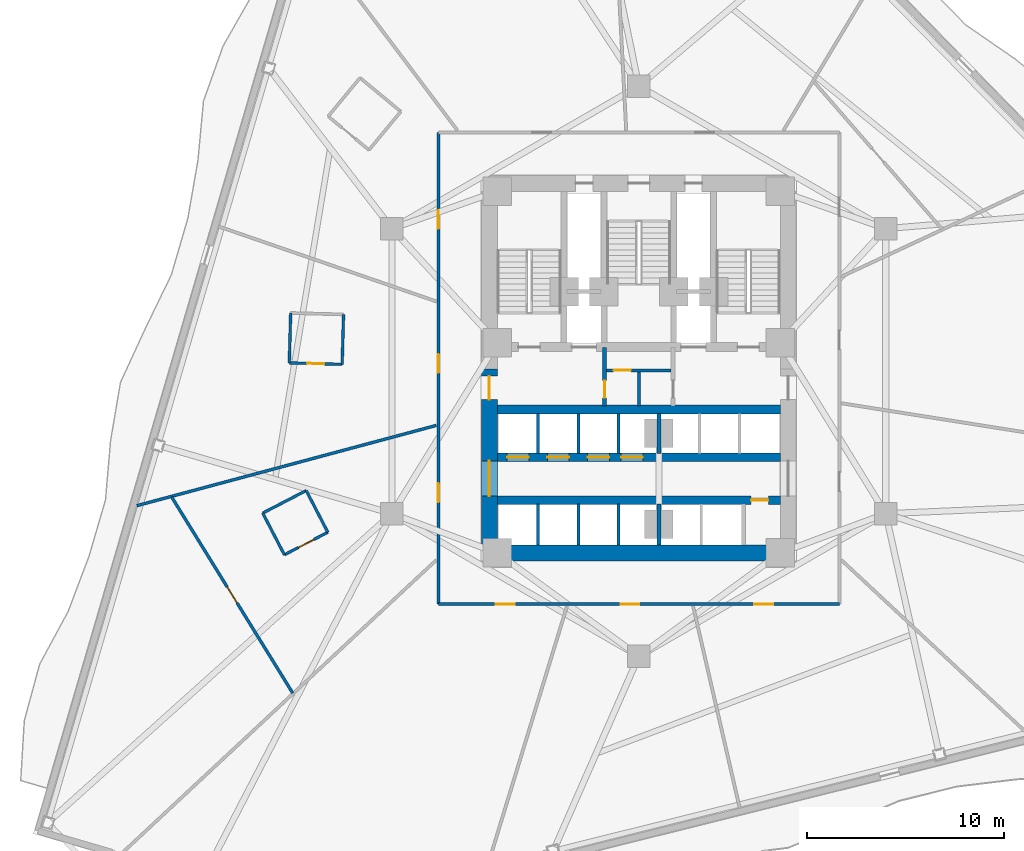
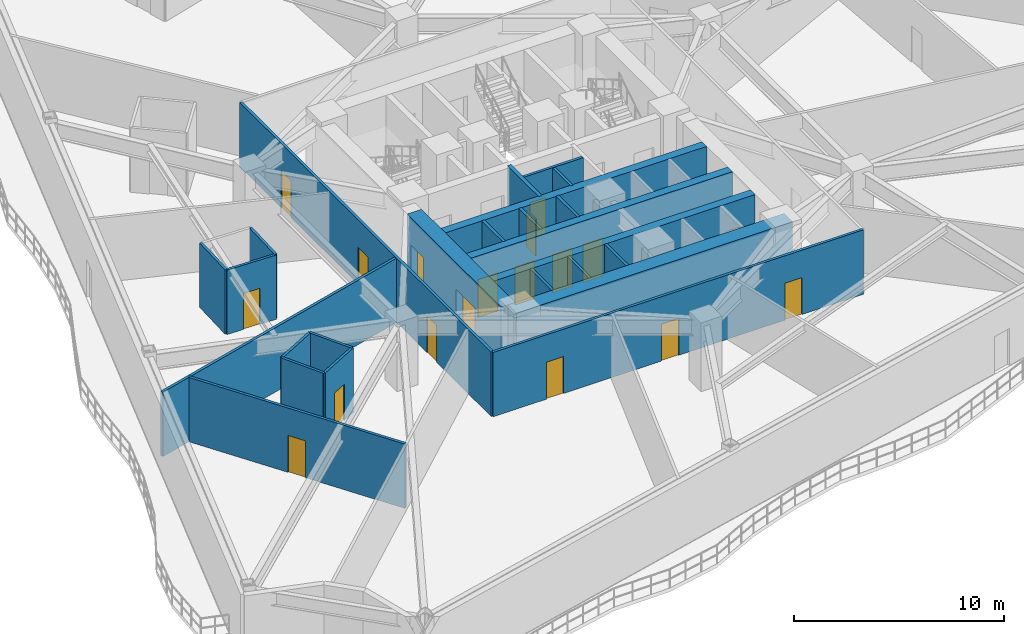
# One storey, part 3 of 10: 27 walls, 18 doors, 18 openings.
"""IFC4 building model written with IfcOpenShell, lengths in metres."""

from ifc_helpers import new_model, si_unit, direction, frame, frame_2d, origin, place, context, subcontext, project, spatial, rectangle, extrude, material, layer, layer_set, type_object, element, fill, save


model = new_model("IFC4")

# Units and contexts
model_context = context("Model", 3, precision=1e-05, world=origin(), true_north=direction((0.0, 1.0)))
body_context = subcontext(model_context, "Body", "Model", "MODEL_VIEW")
ifc_project = project(units=[si_unit("LENGTHUNIT", "METRE"), si_unit("AREAUNIT", "SQUARE_METRE"), si_unit("VOLUMEUNIT", "CUBIC_METRE"), si_unit("PLANEANGLEUNIT", "RADIAN"), si_unit("MASSUNIT", "GRAM", prefix="KILO")], contexts=[model_context])

# Site, building, storey
site_placement = place(None, origin())
site = spatial("IfcSite", under=ifc_project, at=site_placement, CompositionType="ELEMENT")
building_placement = place(site_placement, origin())
building = spatial("IfcBuilding", under=site, at=building_placement, Name="Apsidion Concourse Tower", CompositionType="ELEMENT")
storey_placement = place(building_placement, frame((0.0, 0.0, 107.0)))
storey = spatial("IfcBuildingStorey", under=building, at=storey_placement, Name="L24", CompositionType="ELEMENT", Elevation=107.0)

# Walls
ifc_material_1 = material(Name="Gypsum plasterboard partition")
ifc_layer_1 = layer(ifc_material_1, 0.139892578125)
ifc_layer_set_1 = layer_set([ifc_layer_1], Name="Gypsum plasterboard partition")
wall_type_1 = type_object("IfcWallType", Name="WL-INT-PAR-140", PredefinedType="PARTITIONING", material=ifc_layer_set_1)
wall_1_placement = place(storey_placement, frame((-16.921875, -6.073486328125, 0.0), z_axis=(0.0, 0.0, 1.0), x_axis=(-0.887781243054, -0.460265645559, 0.0)))
element("IfcWall", 1, at=wall_1_placement, inside=storey, type_object=wall_type_1, Name="L24 Interior Partition WL-L24-POD-HKAWC-S1", PredefinedType="PARTITIONING", context=body_context, shape_type="SweptSolid", body=[
    extrude(rectangle(XDim=2.48974609375, YDim=0.139892578125, at=frame_2d((1.244873046875, 0.0))), origin(), (0.0, 0.0, 1.0), 3.75),
])
wall_2_placement = place(storey_placement, frame((-19.13232421875, -7.219482421875, 0.0), z_axis=(0.0, 0.0, 1.0), x_axis=(0.460200871333, -0.887814821922, 0.0)))
element("IfcWall", 2, at=wall_2_placement, inside=storey, type_object=wall_type_1, Name="L24 Interior Partition WL-L24-POD-HKAWC-S2", PredefinedType="PARTITIONING", context=body_context, shape_type="SweptSolid", body=[
    extrude(rectangle(XDim=2.389892578125, YDim=0.139892578125, at=frame_2d((1.19482421875, 0.0))), origin(), (0.0, 0.0, 1.0), 3.75),
])

# Wall, opening, door
wall_3_placement = place(storey_placement, frame((-18.032470703125, -9.34130859375, 0.0), z_axis=(0.0, 0.0, 1.0), x_axis=(0.887821307868, 0.460188358496, 0.0)))
wall_3 = element("IfcWall", 3, at=wall_3_placement, inside=storey, type_object=wall_type_1, Name="L24 Interior Partition WL-L24-POD-HKAWC-S3", PredefinedType="PARTITIONING", context=body_context, shape_type="SweptSolid", body=[
    extrude(rectangle(XDim=2.48974609375, YDim=0.139892578125, at=frame_2d((1.244873046875, 0.0))), origin(), (0.0, 0.0, 1.0), 3.75),
])
opening_1_placement = place(wall_3_placement, frame((0.804931640625, 0.0, 0.0)))
opening_1 = element("IfcOpeningElement", 4, at=opening_1_placement, cuts=wall_3, Name="Opening D-03L", PredefinedType="OPENING", context=body_context, shape_type="SweptSolid", body=[
    extrude(rectangle(XDim=0.8798828125, YDim=2.10009765625, at=frame_2d((0.43994140625, 1.050048828125))), frame((0.0, 0.080078125, 0.0), z_axis=(0.0, -1.0, 0.0), x_axis=(1.0, 0.0, 0.0)), (0.0, 0.0, 1.0), 0.159912109375),
])
ifc_material_2 = material(Name="Anodised aluminium EN AW-6063 T6", Category="aluminium")
door_type_1 = type_object("IfcDoorType", Name="DR-INT-D03L", OperationType="SINGLE_SWING_LEFT", PredefinedType="DOOR", material=ifc_material_2)
door_1_placement = place(opening_1_placement, origin())
door_1 = element("IfcDoor", 5, at=door_1_placement, inside=storey, type_object=door_type_1, Name="L24 Hotel Accessible WC Door HKAWC", OperationType="SINGLE_SWING_LEFT", OverallHeight=2.10009765625, OverallWidth=0.8798828125, PredefinedType="DOOR", context=body_context, shape_type="SweptSolid", body=[
    extrude(rectangle(XDim=0.8798828125, YDim=2.10009765625, at=frame_2d((0.43994140625, 1.050048828125))), frame((0.0, 0.02490234375, 0.0), z_axis=(0.0, -1.0, 0.0), x_axis=(1.0, 0.0, 0.0)), (0.0, 0.0, 1.0), 0.050048828125),
])
fill(opening_1, door_1)

# Walls
wall_4_placement = place(storey_placement, frame((-15.822021484375, -8.195556640625, 0.0), z_axis=(0.0, 0.0, 1.0), x_axis=(-0.460159137491, 0.887836453511, 0.0)))
element("IfcWall", 6, at=wall_4_placement, inside=storey, type_object=wall_type_1, Name="L24 Interior Partition WL-L24-POD-HKAWC-S4", PredefinedType="PARTITIONING", context=body_context, shape_type="SweptSolid", body=[
    extrude(rectangle(XDim=2.39013671875, YDim=0.139892578125, at=frame_2d((1.195068359375, 0.0))), origin(), (0.0, 0.0, 1.0), 3.75),
])
wall_5_placement = place(storey_placement, frame((-17.711181640625, 2.959716796875, 0.0), z_axis=(0.0, 0.0, 1.0), x_axis=(-0.027873780836, -0.999611450686, 0.0)))
element("IfcWall", 7, at=wall_5_placement, inside=storey, type_object=wall_type_1, Name="L24 Interior Partition WL-L24-POD-ENS10-S2", PredefinedType="PARTITIONING", context=body_context, shape_type="SweptSolid", body=[
    extrude(rectangle(XDim=2.5400390625, YDim=0.139892578125, at=frame_2d((1.27001953125, 0.0))), origin(), (0.0, 0.0, 1.0), 3.75),
])

# Wall, opening, door
wall_6_placement = place(storey_placement, frame((-17.781982421875, 0.420654296875, 0.0), z_axis=(0.0, 0.0, 1.0), x_axis=(0.999609225093, -0.027953481145, 0.0)))
wall_6 = element("IfcWall", 8, at=wall_6_placement, inside=storey, type_object=wall_type_1, Name="L24 Interior Partition WL-L24-POD-ENS10-S3", PredefinedType="PARTITIONING", context=body_context, shape_type="SweptSolid", body=[
    extrude(rectangle(XDim=2.68994140625, YDim=0.139892578125, at=frame_2d((1.344970703125, 0.0))), origin(), (0.0, 0.0, 1.0), 3.75),
])
opening_2_placement = place(wall_6_placement, frame((0.905029296875, 0.0, 0.0)))
opening_2 = element("IfcOpeningElement", 9, at=opening_2_placement, cuts=wall_6, Name="Opening D-03L", PredefinedType="OPENING", context=body_context, shape_type="SweptSolid", body=[
    extrude(rectangle(XDim=0.8798828125, YDim=2.10009765625, at=frame_2d((0.43994140625, 1.050048828125))), frame((0.0, 0.080078125, 0.0), z_axis=(0.0, -1.0, 0.0), x_axis=(1.0, 0.0, 0.0)), (0.0, 0.0, 1.0), 0.159912109375),
])
door_2_placement = place(opening_2_placement, origin())
door_2 = element("IfcDoor", 10, at=door_2_placement, inside=storey, type_object=door_type_1, Name="L24 Guest En-Suite Bathroom Door ENS10", OperationType="SINGLE_SWING_LEFT", OverallHeight=2.10009765625, OverallWidth=0.8798828125, PredefinedType="DOOR", context=body_context, shape_type="SweptSolid", body=[
    extrude(rectangle(XDim=0.8798828125, YDim=2.10009765625, at=frame_2d((0.43994140625, 1.050048828125))), frame((0.0, 0.02490234375, 0.0), z_axis=(0.0, -1.0, 0.0), x_axis=(1.0, 0.0, 0.0)), (0.0, 0.0, 1.0), 0.050048828125),
])
fill(opening_2, door_2)

# Walls
wall_7_placement = place(storey_placement, frame((-15.093017578125, 0.345458984375, 0.0), z_axis=(0.0, 0.0, 1.0), x_axis=(0.027873780836, 0.999611450686, 0.0)))
element("IfcWall", 11, at=wall_7_placement, inside=storey, type_object=wall_type_1, Name="L24 Interior Partition WL-L24-POD-ENS10-S4", PredefinedType="PARTITIONING", context=body_context, shape_type="SweptSolid", body=[
    extrude(rectangle(XDim=2.5400390625, YDim=0.139892578125, at=frame_2d((1.27001953125, 0.0))), origin(), (0.0, 0.0, 1.0), 3.75),
])
ifc_layer_2 = layer(ifc_material_1, 0.14990234375)
ifc_layer_set_2 = layer_set([ifc_layer_2], Name="Gypsum plasterboard partition")
wall_type_2 = type_object("IfcWallType", Name="WL-INT-PAR-150", PredefinedType="PARTITIONING", material=ifc_layer_set_2)
for number, where, z_axis, x_axis, name in (
    (12, (-5.125, -4.179931640625, 0.0), (0.0, 0.0, 1.0), (0.0, 1.0, 0.0), "L24 Interior Partition WL-L24-B1DIV-1"),
    (13, (-3.074951171875, -4.179931640625, 0.0), (0.0, 0.0, 1.0), (0.0, 1.0, 0.0), "L24 Interior Partition WL-L24-B1DIV-2"),
    (14, (-1.02490234375, -4.179931640625, 0.0), (0.0, 0.0, 1.0), (0.0, 1.0, 0.0), "L24 Interior Partition WL-L24-B1DIV-3"),
):
    element("IfcWall", number, at=place(storey_placement, frame(where, z_axis=z_axis, x_axis=x_axis)), inside=storey, type_object=wall_type_2, Name=name, PredefinedType="PARTITIONING", context=body_context, shape_type="SweptSolid", body=[
        extrude(rectangle(XDim=2.030029296875, YDim=0.14990234375, at=frame_2d((1.01513671875, 0.0))), origin(), (0.0, 0.0, 1.0), 3.75),
    ])
for number, where, z_axis, x_axis, name in (
    (15, (-5.125, -8.85009765625, 0.0), (0.0, 0.0, 1.0), (0.0, 1.0, 0.0), "L24 Interior Partition WL-L24-B2DIV-1"),
    (16, (-3.074951171875, -8.85009765625, 0.0), (0.0, 0.0, 1.0), (0.0, 1.0, 0.0), "L24 Interior Partition WL-L24-B2DIV-2"),
    (17, (-1.02490234375, -8.85009765625, 0.0), (0.0, 0.0, 1.0), (0.0, 1.0, 0.0), "L24 Interior Partition WL-L24-B2DIV-3"),
):
    element("IfcWall", number, at=place(storey_placement, frame(where, z_axis=z_axis, x_axis=x_axis)), inside=storey, type_object=wall_type_2, Name=name, PredefinedType="PARTITIONING", context=body_context, shape_type="SweptSolid", body=[
        extrude(rectangle(XDim=2.080078125, YDim=0.14990234375, at=frame_2d((1.0400390625, 0.0))), origin(), (0.0, 0.0, 1.0), 3.75),
    ])

# Wall, opening, door
wall_8_placement = place(storey_placement, frame((-1.639892578125, 0.0400390625, 0.0), z_axis=(0.0, 0.0, 1.0), x_axis=(1.0, 0.0, 0.0)))
wall_8 = element("IfcWall", 18, at=wall_8_placement, inside=storey, type_object=wall_type_2, Name="L24 Interior Partition WL-L24-K4H", PredefinedType="PARTITIONING", context=body_context, shape_type="SweptSolid", body=[
    extrude(rectangle(XDim=3.27978515625, YDim=0.14990234375, at=frame_2d((1.639892578125, 0.0))), origin(), (0.0, 0.0, 1.0), 3.75),
])
opening_3_placement = place(wall_8_placement, frame((0.360107421875, 0.0, 0.0)))
opening_3 = element("IfcOpeningElement", 19, at=opening_3_placement, cuts=wall_8, Name="Opening D-03L", PredefinedType="OPENING", context=body_context, shape_type="SweptSolid", body=[
    extrude(rectangle(XDim=0.8798828125, YDim=2.10009765625, at=frame_2d((0.43994140625, 1.050048828125))), frame((0.0, 0.0849609375, 0.0), z_axis=(0.0, -1.0, 0.0), x_axis=(1.0, 0.0, 0.0)), (0.0, 0.0, 1.0), 0.169921875),
])
door_3_placement = place(opening_3_placement, origin())
door_3 = element("IfcDoor", 20, at=door_3_placement, inside=storey, type_object=door_type_1, Name="L24 Core Telecoms Door", OperationType="SINGLE_SWING_LEFT", OverallHeight=2.10009765625, OverallWidth=0.8798828125, PredefinedType="DOOR", context=body_context, shape_type="SweptSolid", body=[
    extrude(rectangle(XDim=0.8798828125, YDim=2.10009765625, at=frame_2d((0.43994140625, 1.050048828125))), frame((0.0, 0.02490234375, 0.0), z_axis=(0.0, -1.0, 0.0), x_axis=(1.0, 0.0, 0.0)), (0.0, 0.0, 1.0), 0.050048828125),
])
fill(opening_3, door_3)

# Wall
wall_9_placement = place(storey_placement, frame((0.0, -1.780029296875, 0.0), z_axis=(0.0, 0.0, 1.0), x_axis=(0.0, 1.0, 0.0)))
element("IfcWall", 21, at=wall_9_placement, inside=storey, type_object=wall_type_2, Name="L24 Interior Partition WL-L24-K4V", PredefinedType="PARTITIONING", context=body_context, shape_type="SweptSolid", body=[
    extrude(rectangle(XDim=1.72998046875, YDim=0.14990234375, at=frame_2d((0.864990234375, 0.0))), origin(), (0.0, 0.0, 1.0), 3.75),
])

# Wall, openings, doors
wall_10_placement = place(storey_placement, frame((10.199951171875, -11.85009765625, 0.0), z_axis=(0.0, 0.0, 1.0), x_axis=(-1.0, 0.0, 0.0)))
wall_10 = element("IfcWall", 22, at=wall_10_placement, inside=storey, type_object=wall_type_2, Name="L24 Interior Partition WL-L24-CORR-03", PredefinedType="PARTITIONING", context=body_context, shape_type="SweptSolid", body=[
    extrude(rectangle(XDim=20.39990234375, YDim=0.14990234375, at=frame_2d((10.199951171875, 0.0))), origin(), (0.0, 0.0, 1.0), 3.75),
])
opening_4_placement = place(wall_10_placement, frame((16.522216796875, 0.0, 0.0)))
opening_4 = element("IfcOpeningElement", 23, at=opening_4_placement, cuts=wall_10, Name="Opening D-01R", PredefinedType="OPENING", context=body_context, shape_type="SweptSolid", body=[
    extrude(rectangle(XDim=0.949951171875, YDim=2.14990234375, at=frame_2d((0.47509765625, 1.074951171875))), frame((0.0, 0.0849609375, 0.0), z_axis=(0.0, -1.0, 0.0), x_axis=(1.0, 0.0, 0.0)), (0.0, 0.0, 1.0), 0.169921875),
])
opening_5_placement = place(wall_10_placement, frame((10.171875, 0.0, 0.0)))
opening_5 = element("IfcOpeningElement", 24, at=opening_5_placement, cuts=wall_10, Name="Opening D-01L", PredefinedType="OPENING", context=body_context, shape_type="SweptSolid", body=[
    extrude(rectangle(XDim=0.949951171875, YDim=2.14990234375, at=frame_2d((0.47509765625, 1.074951171875))), frame((0.0, 0.0849609375, 0.0), z_axis=(0.0, -1.0, 0.0), x_axis=(1.0, 0.0, 0.0)), (0.0, 0.0, 1.0), 0.169921875),
])
opening_6_placement = place(wall_10_placement, frame((3.37451171875, 0.0, 0.0)))
opening_6 = element("IfcOpeningElement", 25, at=opening_6_placement, cuts=wall_10, Name="Opening D-01R", PredefinedType="OPENING", context=body_context, shape_type="SweptSolid", body=[
    extrude(rectangle(XDim=0.949951171875, YDim=2.14990234375, at=frame_2d((0.47509765625, 1.074951171875))), frame((0.0, 0.0849609375, 0.0), z_axis=(0.0, -1.0, 0.0), x_axis=(1.0, 0.0, 0.0)), (0.0, 0.0, 1.0), 0.169921875),
])
ifc_material_3 = material(Name="Brushed stainless steel 316", Category="steel")
door_type_2 = type_object("IfcDoorType", Name="DR-INT-D01L", OperationType="SINGLE_SWING_LEFT", PredefinedType="DOOR", material=ifc_material_3)
door_4_placement = place(opening_5_placement, origin())
door_4 = element("IfcDoor", 26, at=door_4_placement, inside=storey, type_object=door_type_2, Name="L24 Corridor Entry Door 03", OperationType="SINGLE_SWING_LEFT", OverallHeight=2.14990234375, OverallWidth=0.949951171875, PredefinedType="DOOR", context=body_context, shape_type="SweptSolid", body=[
    extrude(rectangle(XDim=0.949951171875, YDim=2.14990234375, at=frame_2d((0.47509765625, 1.074951171875))), frame((0.0, 0.02490234375, 0.0), z_axis=(0.0, -1.0, 0.0), x_axis=(1.0, 0.0, 0.0)), (0.0, 0.0, 1.0), 0.050048828125),
])
fill(opening_5, door_4)
door_type_3 = type_object("IfcDoorType", Name="DR-INT-D01R", OperationType="SINGLE_SWING_RIGHT", PredefinedType="DOOR", material=ifc_material_3)
door_5_placement = place(opening_4_placement, origin())
door_5 = element("IfcDoor", 27, at=door_5_placement, inside=storey, type_object=door_type_3, Name="L24 Corridor Entry Door 02", OperationType="SINGLE_SWING_RIGHT", OverallHeight=2.14990234375, OverallWidth=0.949951171875, PredefinedType="DOOR", context=body_context, shape_type="SweptSolid", body=[
    extrude(rectangle(XDim=0.949951171875, YDim=2.14990234375, at=frame_2d((0.47509765625, 1.074951171875))), frame((0.0, 0.02490234375, 0.0), z_axis=(0.0, -1.0, 0.0), x_axis=(1.0, 0.0, 0.0)), (0.0, 0.0, 1.0), 0.050048828125),
])
fill(opening_4, door_5)
door_6_placement = place(opening_6_placement, origin())
door_6 = element("IfcDoor", 28, at=door_6_placement, inside=storey, type_object=door_type_3, Name="L24 Corridor Entry Door 04", OperationType="SINGLE_SWING_RIGHT", OverallHeight=2.14990234375, OverallWidth=0.949951171875, PredefinedType="DOOR", context=body_context, shape_type="SweptSolid", body=[
    extrude(rectangle(XDim=0.949951171875, YDim=2.14990234375, at=frame_2d((0.47509765625, 1.074951171875))), frame((0.0, 0.02490234375, 0.0), z_axis=(0.0, -1.0, 0.0), x_axis=(1.0, 0.0, 0.0)), (0.0, 0.0, 1.0), 0.050048828125),
])
fill(opening_6, door_6)

wall_11_placement = place(storey_placement, frame((-10.199951171875, -11.85009765625, 0.0), z_axis=(0.0, 0.0, 1.0), x_axis=(0.0, 1.0, 0.0)))
wall_11 = element("IfcWall", 29, at=wall_11_placement, inside=storey, type_object=wall_type_2, Name="L24 Interior Partition WL-L24-CORR-04", PredefinedType="PARTITIONING", context=body_context, shape_type="SweptSolid", body=[
    extrude(rectangle(XDim=24.0, YDim=0.14990234375, at=frame_2d((12.0, 0.0))), origin(), (0.0, 0.0, 1.0), 3.75),
])
opening_7_placement = place(wall_11_placement, frame((5.1865234375, 0.0, 0.0)))
opening_7 = element("IfcOpeningElement", 30, at=opening_7_placement, cuts=wall_11, Name="Opening D-01L", PredefinedType="OPENING", context=body_context, shape_type="SweptSolid", body=[
    extrude(rectangle(XDim=0.949951171875, YDim=2.14990234375, at=frame_2d((0.47509765625, 1.074951171875))), frame((0.0, 0.0849609375, 0.0), z_axis=(0.0, -1.0, 0.0), x_axis=(1.0, 0.0, 0.0)), (0.0, 0.0, 1.0), 0.169921875),
])
opening_8_placement = place(wall_11_placement, frame((19.094482421875, 0.0, 0.0)))
opening_8 = element("IfcOpeningElement", 31, at=opening_8_placement, cuts=wall_11, Name="Opening D-01R", PredefinedType="OPENING", context=body_context, shape_type="SweptSolid", body=[
    extrude(rectangle(XDim=0.949951171875, YDim=2.14990234375, at=frame_2d((0.47509765625, 1.074951171875))), frame((0.0, 0.0849609375, 0.0), z_axis=(0.0, -1.0, 0.0), x_axis=(1.0, 0.0, 0.0)), (0.0, 0.0, 1.0), 0.169921875),
])
opening_9_placement = place(wall_11_placement, frame((11.767333984375, 0.0, 0.0)))
opening_9 = element("IfcOpeningElement", 32, at=opening_9_placement, cuts=wall_11, Name="Opening D-01L", PredefinedType="OPENING", context=body_context, shape_type="SweptSolid", body=[
    extrude(rectangle(XDim=0.949951171875, YDim=2.14990234375, at=frame_2d((0.47509765625, 1.074951171875))), frame((0.0, 0.0849609375, 0.0), z_axis=(0.0, -1.0, 0.0), x_axis=(1.0, 0.0, 0.0)), (0.0, 0.0, 1.0), 0.169921875),
])
door_7_placement = place(opening_7_placement, origin())
door_7 = element("IfcDoor", 33, at=door_7_placement, inside=storey, type_object=door_type_2, Name="L24 Corridor Entry Door 01", OperationType="SINGLE_SWING_LEFT", OverallHeight=2.14990234375, OverallWidth=0.949951171875, PredefinedType="DOOR", context=body_context, shape_type="SweptSolid", body=[
    extrude(rectangle(XDim=0.949951171875, YDim=2.14990234375, at=frame_2d((0.47509765625, 1.074951171875))), frame((0.0, 0.02490234375, 0.0), z_axis=(0.0, -1.0, 0.0), x_axis=(1.0, 0.0, 0.0)), (0.0, 0.0, 1.0), 0.050048828125),
])
fill(opening_7, door_7)
door_8_placement = place(opening_9_placement, origin())
door_8 = element("IfcDoor", 34, at=door_8_placement, inside=storey, type_object=door_type_2, Name="L24 Corridor Entry Door 11", OperationType="SINGLE_SWING_LEFT", OverallHeight=2.14990234375, OverallWidth=0.949951171875, PredefinedType="DOOR", context=body_context, shape_type="SweptSolid", body=[
    extrude(rectangle(XDim=0.949951171875, YDim=2.14990234375, at=frame_2d((0.47509765625, 1.074951171875))), frame((0.0, 0.02490234375, 0.0), z_axis=(0.0, -1.0, 0.0), x_axis=(1.0, 0.0, 0.0)), (0.0, 0.0, 1.0), 0.050048828125),
])
fill(opening_9, door_8)
door_9_placement = place(opening_8_placement, origin())
door_9 = element("IfcDoor", 35, at=door_9_placement, inside=storey, type_object=door_type_3, Name="L24 Corridor Entry Door 10", OperationType="SINGLE_SWING_RIGHT", OverallHeight=2.14990234375, OverallWidth=0.949951171875, PredefinedType="DOOR", context=body_context, shape_type="SweptSolid", body=[
    extrude(rectangle(XDim=0.949951171875, YDim=2.14990234375, at=frame_2d((0.47509765625, 1.074951171875))), frame((0.0, 0.02490234375, 0.0), z_axis=(0.0, -1.0, 0.0), x_axis=(1.0, 0.0, 0.0)), (0.0, 0.0, 1.0), 0.050048828125),
])
fill(opening_8, door_9)

# Wall
wall_12_placement = place(storey_placement, frame((-10.304931640625, -2.76123046875, 0.0), z_axis=(0.0, 0.0, 1.0), x_axis=(-0.965926903589, -0.258815024531, 0.0)))
element("IfcWall", 36, at=wall_12_placement, inside=storey, type_object=wall_type_2, Name="L24 Interior Partition WL-L24-RAD-06-1", PredefinedType="PARTITIONING", context=body_context, shape_type="SweptSolid", body=[
    extrude(rectangle(XDim=15.768310546875, YDim=0.14990234375, at=frame_2d((7.88427734375, 0.0))), origin(), (0.0, 0.0, 1.0), 3.75),
])

# Wall, opening, door
wall_13_placement = place(storey_placement, frame((-23.771240234375, -6.3955078125, 0.0), z_axis=(0.0, 0.0, 1.0), x_axis=(0.525453466411, -0.850822340232, 0.0)))
wall_13 = element("IfcWall", 37, at=wall_13_placement, inside=storey, type_object=wall_type_2, Name="L24 Interior Partition WL-L24-CHD-HKWC", PredefinedType="PARTITIONING", context=body_context, shape_type="SweptSolid", body=[
    extrude(rectangle(XDim=11.737060546875, YDim=0.14990234375, at=frame_2d((5.86865234375, 0.0))), origin(), (0.0, 0.0, 1.0), 3.75),
])
opening_10_placement = place(wall_13_placement, frame((5.3935546875, 0.0, 0.0)))
opening_10 = element("IfcOpeningElement", 38, at=opening_10_placement, cuts=wall_13, Name="Opening D-04R", PredefinedType="OPENING", context=body_context, shape_type="SweptSolid", body=[
    extrude(rectangle(XDim=0.949951171875, YDim=2.14990234375, at=frame_2d((0.47509765625, 1.074951171875))), frame((0.0, 0.0849609375, 0.0), z_axis=(0.0, -1.0, 0.0), x_axis=(1.0, 0.0, 0.0)), (0.0, 0.0, 1.0), 0.169921875),
])
door_type_4 = type_object("IfcDoorType", Name="DR-INT-D04R", OperationType="SINGLE_SWING_RIGHT", PredefinedType="DOOR", material=ifc_material_3)
door_10_placement = place(opening_10_placement, origin())
door_10 = element("IfcDoor", 39, at=door_10_placement, inside=storey, type_object=door_type_4, Name="L24 Suite Connecting Door HKWC", OperationType="SINGLE_SWING_RIGHT", OverallHeight=2.14990234375, OverallWidth=0.949951171875, PredefinedType="DOOR", context=body_context, shape_type="SweptSolid", body=[
    extrude(rectangle(XDim=0.949951171875, YDim=2.14990234375, at=frame_2d((0.47509765625, 1.074951171875))), frame((0.0, 0.02490234375, 0.0), z_axis=(0.0, -1.0, 0.0), x_axis=(1.0, 0.0, 0.0)), (0.0, 0.0, 1.0), 0.050048828125),
])
fill(opening_10, door_10)

# Walls
ifc_layer_3 = layer(ifc_material_1, 0.179931640625)
ifc_layer_set_3 = layer_set([ifc_layer_3], Name="Gypsum plasterboard partition")
wall_type_3 = type_object("IfcWallType", Name="WL-INT-PAR-180", PredefinedType="PARTITIONING", material=ifc_layer_set_3)
wall_14_placement = place(storey_placement, frame((1.02490234375, -4.179931640625, 0.0), z_axis=(0.0, 0.0, 1.0), x_axis=(0.0, 1.0, 0.0)))
element("IfcWall", 40, at=wall_14_placement, inside=storey, type_object=wall_type_3, Name="L24 Interior Partition WL-L24-B1END", PredefinedType="PARTITIONING", context=body_context, shape_type="SweptSolid", body=[
    extrude(rectangle(XDim=2.030029296875, YDim=0.179931640625, at=frame_2d((1.01513671875, 0.0))), origin(), (0.0, 0.0, 1.0), 2.798095703125),
])
wall_15_placement = place(storey_placement, frame((1.02490234375, -8.85009765625, 0.0), z_axis=(0.0, 0.0, 1.0), x_axis=(0.0, 1.0, 0.0)))
element("IfcWall", 41, at=wall_15_placement, inside=storey, type_object=wall_type_3, Name="L24 Interior Partition WL-L24-B2END", PredefinedType="PARTITIONING", context=body_context, shape_type="SweptSolid", body=[
    extrude(rectangle(XDim=2.080078125, YDim=0.179931640625, at=frame_2d((1.0400390625, 0.0))), origin(), (0.0, 0.0, 1.0), 2.798095703125),
])

# Wall, opening, door
ifc_layer_4 = layer(ifc_material_1, 0.199951171875)
ifc_layer_set_4 = layer_set([ifc_layer_4], Name="Gypsum plasterboard partition")
wall_type_4 = type_object("IfcWallType", Name="WL-INT-PAR-200", PredefinedType="PARTITIONING", material=ifc_layer_set_4)
wall_16_placement = place(storey_placement, frame((-1.739990234375, -1.780029296875, 0.0), z_axis=(0.0, 0.0, 1.0), x_axis=(0.0, 1.0, 0.0)))
wall_16 = element("IfcWall", 42, at=wall_16_placement, inside=storey, type_object=wall_type_4, Name="L24 Interior Partition WL-L24-FF1-E", PredefinedType="PARTITIONING", context=body_context, shape_type="SweptSolid", body=[
    extrude(rectangle(XDim=2.97998046875, YDim=0.199951171875, at=frame_2d((1.489990234375, 0.0))), origin(), (0.0, 0.0, 1.0), 3.75),
])
opening_11_placement = place(wall_16_placement, frame((0.419921875, 0.0, 0.0)))
opening_11 = element("IfcOpeningElement", 43, at=opening_11_placement, cuts=wall_16, Name="Opening D-05R", PredefinedType="OPENING", context=body_context, shape_type="SweptSolid", body=[
    extrude(rectangle(XDim=0.8798828125, YDim=2.14990234375, at=frame_2d((0.43994140625, 1.074951171875))), frame((0.0, 0.10986328125, 0.0), z_axis=(0.0, -1.0, 0.0), x_axis=(1.0, 0.0, 0.0)), (0.0, 0.0, 1.0), 0.219970703125),
])
door_type_5 = type_object("IfcDoorType", Name="DR-INT-D05R", OperationType="SINGLE_SWING_RIGHT", PredefinedType="DOOR", material=ifc_material_3)
door_11_placement = place(opening_11_placement, origin())
door_11 = element("IfcDoor", 44, at=door_11_placement, inside=storey, type_object=door_type_5, Name="L24 Core Switch Room Door", OperationType="SINGLE_SWING_RIGHT", OverallHeight=2.14990234375, OverallWidth=0.8798828125, PredefinedType="DOOR", context=body_context, shape_type="SweptSolid", body=[
    extrude(rectangle(XDim=0.8798828125, YDim=2.14990234375, at=frame_2d((0.43994140625, 1.074951171875))), frame((0.0, 0.02490234375, 0.0), z_axis=(0.0, -1.0, 0.0), x_axis=(1.0, 0.0, 0.0)), (0.0, 0.0, 1.0), 0.050048828125),
])
fill(opening_11, door_11)

# Wall
ifc_material_4 = material(Name="Concrete C60/75", Category="concrete")
ifc_layer_5 = layer(ifc_material_4, 0.449951171875)
ifc_layer_set_5 = layer_set([ifc_layer_5], Name="Concrete C60/75")
wall_type_5 = type_object("IfcWallType", Name="WL-SH-450", PredefinedType="SHEAR", material=ifc_layer_set_5)
wall_17_placement = place(storey_placement, frame((-7.199951171875, -1.949951171875, 0.0), z_axis=(0.0, 0.0, 1.0), x_axis=(1.0, 0.0, 0.0)))
element("IfcWall", 45, at=wall_17_placement, inside=storey, type_object=wall_type_5, Name="L24 Central Core Shear Wall M2", PredefinedType="SHEAR", context=body_context, shape_type="SweptSolid", body=[
    extrude(rectangle(XDim=14.39990234375, YDim=0.449951171875, at=frame_2d((7.199951171875, 0.0))), origin(), (0.0, 0.0, 1.0), 3.75),
])

# Wall, openings, doors
wall_18_placement = place(storey_placement, frame((-7.199951171875, -4.3798828125, 0.0), z_axis=(0.0, 0.0, 1.0), x_axis=(1.0, 0.0, 0.0)))
wall_18 = element("IfcWall", 46, at=wall_18_placement, inside=storey, type_object=wall_type_5, Name="L24 Central Core Shear Wall LA", PredefinedType="SHEAR", context=body_context, shape_type="SweptSolid", body=[
    extrude(rectangle(XDim=14.39990234375, YDim=0.449951171875, at=frame_2d((7.199951171875, 0.0))), origin(), (0.0, 0.0, 1.0), 3.75),
])
opening_12_placement = place(wall_18_placement, frame((0.5, 0.0, 0.0)))
opening_12 = element("IfcOpeningElement", 47, at=opening_12_placement, cuts=wall_18, Name="Opening LD-P1", PredefinedType="OPENING", context=body_context, shape_type="SweptSolid", body=[
    extrude(rectangle(XDim=1.10009765625, YDim=2.199951171875, at=frame_2d((0.550048828125, 1.10009765625))), frame((0.0, 0.23486328125, 0.0), z_axis=(0.0, -1.0, 0.0), x_axis=(1.0, 0.0, 0.0)), (0.0, 0.0, 1.0), 0.469970703125),
])
opening_13_placement = place(wall_18_placement, frame((2.550048828125, 0.0, 0.0)))
opening_13 = element("IfcOpeningElement", 48, at=opening_13_placement, cuts=wall_18, Name="Opening LD-P1", PredefinedType="OPENING", context=body_context, shape_type="SweptSolid", body=[
    extrude(rectangle(XDim=1.10009765625, YDim=2.199951171875, at=frame_2d((0.550048828125, 1.10009765625))), frame((0.0, 0.23486328125, 0.0), z_axis=(0.0, -1.0, 0.0), x_axis=(1.0, 0.0, 0.0)), (0.0, 0.0, 1.0), 0.469970703125),
])
opening_14_placement = place(wall_18_placement, frame((4.60009765625, 0.0, 0.0)))
opening_14 = element("IfcOpeningElement", 49, at=opening_14_placement, cuts=wall_18, Name="Opening LD-P1", PredefinedType="OPENING", context=body_context, shape_type="SweptSolid", body=[
    extrude(rectangle(XDim=1.10009765625, YDim=2.199951171875, at=frame_2d((0.550048828125, 1.10009765625))), frame((0.0, 0.23486328125, 0.0), z_axis=(0.0, -1.0, 0.0), x_axis=(1.0, 0.0, 0.0)), (0.0, 0.0, 1.0), 0.469970703125),
])
opening_15_placement = place(wall_18_placement, frame((6.300048828125, 0.0, 0.0)))
opening_15 = element("IfcOpeningElement", 50, at=opening_15_placement, cuts=wall_18, Name="Opening LD-P1", PredefinedType="OPENING", context=body_context, shape_type="SweptSolid", body=[
    extrude(rectangle(XDim=1.10009765625, YDim=2.199951171875, at=frame_2d((0.550048828125, 1.10009765625))), frame((0.0, 0.23486328125, 0.0), z_axis=(0.0, -1.0, 0.0), x_axis=(1.0, 0.0, 0.0)), (0.0, 0.0, 1.0), 0.469970703125),
])
door_type_6 = type_object("IfcDoorType", Name="DR-LD-PASS", OperationType="DOUBLE_DOOR_SLIDING", PredefinedType="DOOR", material=ifc_material_3)
door_12_placement = place(opening_12_placement, origin())
door_12 = element("IfcDoor", 51, at=door_12_placement, inside=storey, type_object=door_type_6, Name="L24 Lift Landing Door P1", OperationType="DOUBLE_DOOR_SLIDING", OverallHeight=2.199951171875, OverallWidth=1.10009765625, PredefinedType="DOOR", context=body_context, shape_type="SweptSolid", body=[
    extrude(rectangle(XDim=1.10009765625, YDim=2.199951171875, at=frame_2d((0.550048828125, 1.10009765625))), frame((0.0, 0.02490234375, 0.0), z_axis=(0.0, -1.0, 0.0), x_axis=(1.0, 0.0, 0.0)), (0.0, 0.0, 1.0), 0.050048828125),
])
fill(opening_12, door_12)
door_13_placement = place(opening_13_placement, origin())
door_13 = element("IfcDoor", 52, at=door_13_placement, inside=storey, type_object=door_type_6, Name="L24 Lift Landing Door P2", OperationType="DOUBLE_DOOR_SLIDING", OverallHeight=2.199951171875, OverallWidth=1.10009765625, PredefinedType="DOOR", context=body_context, shape_type="SweptSolid", body=[
    extrude(rectangle(XDim=1.10009765625, YDim=2.199951171875, at=frame_2d((0.550048828125, 1.10009765625))), frame((0.0, 0.02490234375, 0.0), z_axis=(0.0, -1.0, 0.0), x_axis=(1.0, 0.0, 0.0)), (0.0, 0.0, 1.0), 0.050048828125),
])
fill(opening_13, door_13)
door_14_placement = place(opening_14_placement, origin())
door_14 = element("IfcDoor", 53, at=door_14_placement, inside=storey, type_object=door_type_6, Name="L24 Lift Landing Door P3", OperationType="DOUBLE_DOOR_SLIDING", OverallHeight=2.199951171875, OverallWidth=1.10009765625, PredefinedType="DOOR", context=body_context, shape_type="SweptSolid", body=[
    extrude(rectangle(XDim=1.10009765625, YDim=2.199951171875, at=frame_2d((0.550048828125, 1.10009765625))), frame((0.0, 0.02490234375, 0.0), z_axis=(0.0, -1.0, 0.0), x_axis=(1.0, 0.0, 0.0)), (0.0, 0.0, 1.0), 0.050048828125),
])
fill(opening_14, door_14)
door_15_placement = place(opening_15_placement, origin())
door_15 = element("IfcDoor", 54, at=door_15_placement, inside=storey, type_object=door_type_6, Name="L24 Lift Landing Door P4", OperationType="DOUBLE_DOOR_SLIDING", OverallHeight=2.199951171875, OverallWidth=1.10009765625, PredefinedType="DOOR", context=body_context, shape_type="SweptSolid", body=[
    extrude(rectangle(XDim=1.10009765625, YDim=2.199951171875, at=frame_2d((0.550048828125, 1.10009765625))), frame((0.0, 0.02490234375, 0.0), z_axis=(0.0, -1.0, 0.0), x_axis=(1.0, 0.0, 0.0)), (0.0, 0.0, 1.0), 0.050048828125),
])
fill(opening_15, door_15)

# Wall, opening, door
wall_19_placement = place(storey_placement, frame((-7.199951171875, -6.570068359375, 0.0), z_axis=(0.0, 0.0, 1.0), x_axis=(1.0, 0.0, 0.0)))
wall_19 = element("IfcWall", 55, at=wall_19_placement, inside=storey, type_object=wall_type_5, Name="L24 Central Core Shear Wall LB", PredefinedType="SHEAR", context=body_context, shape_type="SweptSolid", body=[
    extrude(rectangle(XDim=14.39990234375, YDim=0.449951171875, at=frame_2d((7.199951171875, 0.0))), origin(), (0.0, 0.0, 1.0), 3.75),
])
opening_16_placement = place(wall_19_placement, frame((12.909912109375, 0.0, 0.0)))
opening_16 = element("IfcOpeningElement", 56, at=opening_16_placement, cuts=wall_19, Name="Opening D-05L", PredefinedType="OPENING", context=body_context, shape_type="SweptSolid", body=[
    extrude(rectangle(XDim=0.8798828125, YDim=2.14990234375, at=frame_2d((0.43994140625, 1.074951171875))), frame((0.0, 0.23486328125, 0.0), z_axis=(0.0, -1.0, 0.0), x_axis=(1.0, 0.0, 0.0)), (0.0, 0.0, 1.0), 0.469970703125),
])
door_type_7 = type_object("IfcDoorType", Name="DR-INT-D05L", OperationType="SINGLE_SWING_LEFT", PredefinedType="DOOR", material=ifc_material_3)
door_16_placement = place(opening_16_placement, origin())
door_16 = element("IfcDoor", 57, at=door_16_placement, inside=storey, type_object=door_type_7, Name="L24 Cleaners Store Door", OperationType="SINGLE_SWING_LEFT", OverallHeight=2.14990234375, OverallWidth=0.8798828125, PredefinedType="DOOR", context=body_context, shape_type="SweptSolid", body=[
    extrude(rectangle(XDim=0.8798828125, YDim=2.14990234375, at=frame_2d((0.43994140625, 1.074951171875))), frame((0.0, 0.02490234375, 0.0), z_axis=(0.0, -1.0, 0.0), x_axis=(1.0, 0.0, 0.0)), (0.0, 0.0, 1.0), 0.050048828125),
])
fill(opening_16, door_16)

# Wall, openings, doors
ifc_layer_6 = layer(ifc_material_4, 0.800048828125)
ifc_layer_set_6 = layer_set([ifc_layer_6], Name="Concrete C60/75")
wall_type_6 = type_object("IfcWallType", Name="WL-SH-800", PredefinedType="SHEAR", material=ifc_layer_set_6)
wall_20_placement = place(storey_placement, frame((-7.60009765625, -8.85009765625, 0.0), z_axis=(0.0, 0.0, 1.0), x_axis=(0.0, 1.0, 0.0)))
wall_20 = element("IfcWall", 58, at=wall_20_placement, inside=storey, type_object=wall_type_6, Name="L24 Central Core Shear Wall WS", PredefinedType="SHEAR", context=body_context, shape_type="SweptSolid", body=[
    extrude(rectangle(XDim=8.9501953125, YDim=0.800048828125, at=frame_2d((4.47509765625, 0.0))), origin(), (0.0, 0.0, 1.0), 3.75),
])
opening_17_placement = place(wall_20_placement, frame((2.489990234375, 0.0, 0.0)))
opening_17 = element("IfcOpeningElement", 59, at=opening_17_placement, cuts=wall_20, Name="Opening D-06D", PredefinedType="OPENING", context=body_context, shape_type="SweptSolid", body=[
    extrude(rectangle(XDim=1.800048828125, YDim=2.199951171875, at=frame_2d((0.89990234375, 1.10009765625))), frame((0.0, 0.41015625, 0.0), z_axis=(0.0, -1.0, 0.0), x_axis=(1.0, 0.0, 0.0)), (0.0, 0.0, 1.0), 0.820068359375),
])
opening_18_placement = place(wall_20_placement, frame((7.39990234375, 0.0, 0.0)))
opening_18 = element("IfcOpeningElement", 60, at=opening_18_placement, cuts=wall_20, Name="Opening D-FFL", PredefinedType="OPENING", context=body_context, shape_type="SweptSolid", body=[
    extrude(rectangle(XDim=1.199951171875, YDim=2.14990234375, at=frame_2d((0.60009765625, 1.074951171875))), frame((0.0, 0.41015625, 0.0), z_axis=(0.0, -1.0, 0.0), x_axis=(1.0, 0.0, 0.0)), (0.0, 0.0, 1.0), 0.820068359375),
])
door_type_8 = type_object("IfcDoorType", Name="DR-INT-D06D", OperationType="DOUBLE_DOOR_SINGLE_SWING", PredefinedType="DOOR", material=ifc_material_3)
door_17_placement = place(opening_17_placement, origin())
door_17 = element("IfcDoor", 61, at=door_17_placement, inside=storey, type_object=door_type_8, Name="L24 Passenger Lift Lobby WS Portal Door", OperationType="DOUBLE_DOOR_SINGLE_SWING", OverallHeight=2.199951171875, OverallWidth=1.800048828125, PredefinedType="DOOR", context=body_context, shape_type="SweptSolid", body=[
    extrude(rectangle(XDim=1.800048828125, YDim=2.199951171875, at=frame_2d((0.89990234375, 1.10009765625))), frame((0.0, 0.02490234375, 0.0), z_axis=(0.0, -1.0, 0.0), x_axis=(1.0, 0.0, 0.0)), (0.0, 0.0, 1.0), 0.050048828125),
])
fill(opening_17, door_17)
door_type_9 = type_object("IfcDoorType", Name="DR-INT-FFL", OperationType="SINGLE_SWING_LEFT", PredefinedType="DOOR", material=ifc_material_3)
door_18_placement = place(opening_18_placement, origin())
door_18 = element("IfcDoor", 62, at=door_18_placement, inside=storey, type_object=door_type_9, Name="L24 Firefighting Lift Lobby FF1 Door", OperationType="SINGLE_SWING_LEFT", OverallHeight=2.14990234375, OverallWidth=1.199951171875, PredefinedType="DOOR", context=body_context, shape_type="SweptSolid", body=[
    extrude(rectangle(XDim=1.199951171875, YDim=2.14990234375, at=frame_2d((0.60009765625, 1.074951171875))), frame((0.0, 0.02490234375, 0.0), z_axis=(0.0, -1.0, 0.0), x_axis=(1.0, 0.0, 0.0)), (0.0, 0.0, 1.0), 0.050048828125),
])
fill(opening_18, door_18)

# Wall
wall_21_placement = place(storey_placement, frame((-7.60009765625, -9.25, 0.0), z_axis=(0.0, 0.0, 1.0), x_axis=(1.0, 0.0, 0.0)))
element("IfcWall", 63, at=wall_21_placement, inside=storey, type_object=wall_type_6, Name="L24 Central Core Shear Wall S", PredefinedType="SHEAR", context=body_context, shape_type="SweptSolid", body=[
    extrude(rectangle(XDim=15.2001953125, YDim=0.800048828125, at=frame_2d((7.60009765625, 0.0))), origin(), (0.0, 0.0, 1.0), 3.75),
])

save(model, "model.ifc")
